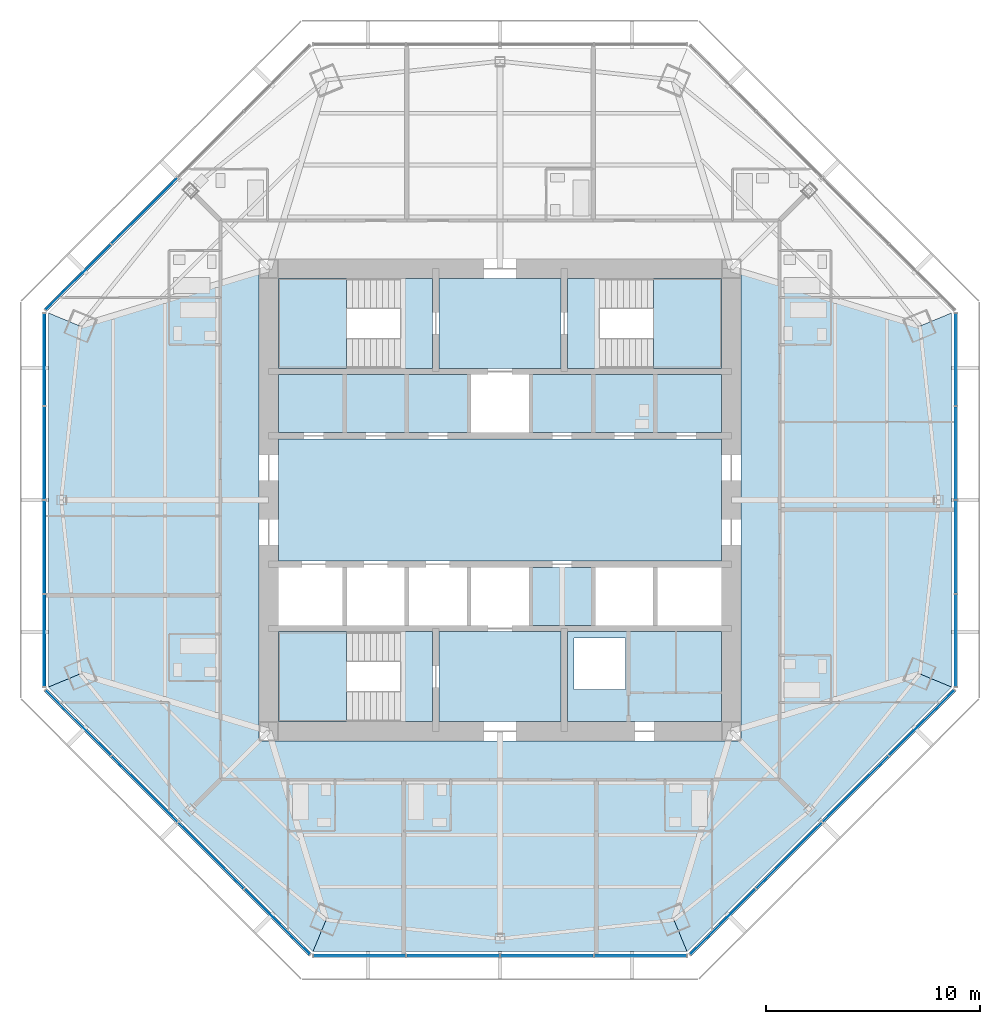
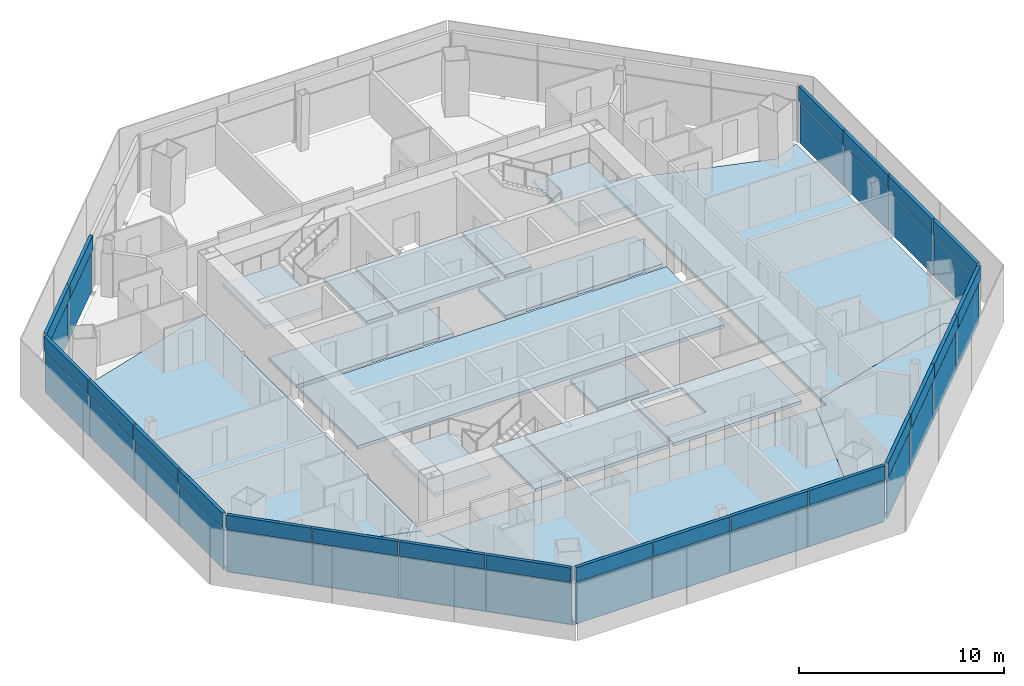
# One storey, part 7 of 14: 44 plates, 18 slabs, 9 elements without a shape of their own.
"""IFC4 building model written with IfcOpenShell, lengths in metres."""

from ifc_helpers import new_model, si_unit, direction, frame, origin, origin_2d, place, context, subcontext, project, spatial, polyline, rectangle, outline, extrude, source, transform, mapped, material, layer, layer_set, type_object, type_shapes, element, aggregate, save


model = new_model("IFC4")

# Units and contexts
model_context = context("Model", 3, precision=1e-05, world=origin(), true_north=direction((0.0, 1.0)))
body_context = subcontext(model_context, "Body", "Model", "MODEL_VIEW")
ifc_project = project(units=[si_unit("LENGTHUNIT", "METRE"), si_unit("AREAUNIT", "SQUARE_METRE"), si_unit("VOLUMEUNIT", "CUBIC_METRE"), si_unit("PLANEANGLEUNIT", "RADIAN"), si_unit("MASSUNIT", "GRAM", prefix="KILO")], contexts=[model_context])

# Site, building, storey
site_placement = place(None, origin())
site = spatial("IfcSite", under=ifc_project, at=site_placement, CompositionType="ELEMENT")
building_placement = place(site_placement, origin())
building = spatial("IfcBuilding", under=site, at=building_placement, Name="Mashrafa Tower", CompositionType="ELEMENT")
storey_placement = place(building_placement, frame((0.0, 0.0, 238.0)))
storey = spatial("IfcBuildingStorey", under=building, at=storey_placement, Name="L56", CompositionType="ELEMENT", Elevation=238.0)

# Slabs
ifc_material_1 = material(Name="Concrete C35/45", Category="concrete")
ifc_layer_1 = layer(ifc_material_1, 0.199951171875)
ifc_layer_set_1 = layer_set([ifc_layer_1], Name="Floor slab 200")
slab_type_1 = type_object("IfcSlabType", Name="Floor slab 200", PredefinedType="FLOOR", material=ifc_layer_set_1)
slab_1_placement = place(storey_placement, frame((0.0, 0.0, -0.199951171875)))
element("IfcSlab", 1, at=slab_1_placement, inside=storey, type_object=slab_type_1, Name="Floor slab L56 east bay", PredefinedType="FLOOR", context=body_context, shape_type="SweptSolid", body=[
    extrude(outline(polyline([(21.08203125, -8.732421875), (19.609619140625, -8.12255859375), (11.25, -10.663330078125), (11.25, 10.663330078125), (19.609619140625, 8.12255859375), (21.08203125, 8.732421875), (21.08203125, -8.732421875)])), origin(), (0.0, 0.0, 1.0), 0.199951171875),
])
slab_2_placement = place(storey_placement, frame((0.0, 0.0, -0.199951171875)))
element("IfcSlab", 2, at=slab_2_placement, inside=storey, type_object=slab_type_1, Name="Floor slab L56 west bay", PredefinedType="FLOOR", context=body_context, shape_type="SweptSolid", body=[
    extrude(outline(polyline([(-21.08203125, 8.732421875), (-19.609619140625, 8.12255859375), (-11.25, 10.663330078125), (-11.25, -10.663330078125), (-19.609619140625, -8.12255859375), (-21.08203125, -8.732421875), (-21.08203125, 8.732421875)])), origin(), (0.0, 0.0, 1.0), 0.199951171875),
])
slab_3_placement = place(storey_placement, frame((0.0, 0.0, -0.199951171875)))
element("IfcSlab", 3, at=slab_3_placement, inside=storey, type_object=slab_type_1, Name="Floor slab L56 south-west bay", PredefinedType="FLOOR", context=body_context, shape_type="SweptSolid", body=[
    extrude(outline(polyline([(-8.732421875, -21.08203125), (-21.08203125, -8.732421875), (-21.08203125, -8.732421875), (-19.609619140625, -8.12255859375), (-11.25, -10.663330078125), (-11.25, -11.25), (-10.663330078125, -11.25), (-8.12255859375, -19.609619140625), (-8.732421875, -21.08203125), (-8.732421875, -21.08203125)])), origin(), (0.0, 0.0, 1.0), 0.199951171875),
])
slab_4_placement = place(storey_placement, frame((0.0, 0.0, -0.199951171875)))
element("IfcSlab", 4, at=slab_4_placement, inside=storey, type_object=slab_type_1, Name="Floor slab L56 south bay", PredefinedType="FLOOR", context=body_context, shape_type="SweptSolid", body=[
    extrude(outline(polyline([(-8.732421875, -21.08203125), (-8.12255859375, -19.609619140625), (-10.663330078125, -11.25), (10.663330078125, -11.25), (8.12255859375, -19.609619140625), (8.732421875, -21.08203125), (-8.732421875, -21.08203125)])), origin(), (0.0, 0.0, 1.0), 0.199951171875),
])
slab_5_placement = place(storey_placement, frame((0.0, 0.0, -0.199951171875)))
element("IfcSlab", 5, at=slab_5_placement, inside=storey, type_object=slab_type_1, Name="Floor slab L56 south-east bay", PredefinedType="FLOOR", context=body_context, shape_type="SweptSolid", body=[
    extrude(outline(polyline([(8.732421875, -21.08203125), (8.12255859375, -19.609619140625), (10.663330078125, -11.25), (11.25, -11.25), (11.25, -10.663330078125), (19.609619140625, -8.12255859375), (21.08203125, -8.732421875), (21.08203125, -8.732421875), (8.732421875, -21.08203125), (8.732421875, -21.08203125)])), origin(), (0.0, 0.0, 1.0), 0.199951171875),
])
slab_6_placement = place(storey_placement, frame((0.0, 0.0, -0.199951171875)))
element("IfcSlab", 6, at=slab_6_placement, inside=storey, type_object=slab_type_1, Name="Core floor lift hall L56", PredefinedType="FLOOR", context=body_context, shape_type="SweptSolid", body=[
    extrude(outline(polyline([(-10.35009765625, 2.85009765625), (10.35009765625, 2.85009765625), (10.35009765625, -2.85009765625), (-10.35009765625, -2.85009765625), (-10.35009765625, 2.85009765625)])), origin(), (0.0, 0.0, 1.0), 0.199951171875),
])
slab_7_placement = place(storey_placement, frame((0.0, 0.0, -0.199951171875)))
element("IfcSlab", 7, at=slab_7_placement, inside=storey, type_object=slab_type_1, Name="Core floor riser and electrical band L56", PredefinedType="FLOOR", context=body_context, shape_type="SweptSolid", body=[
    extrude(outline(polyline([(10.35009765625, -6.14990234375), (10.35009765625, -10.35009765625), (3.14990234375, -10.35009765625), (3.14990234375, -6.14990234375), (10.35009765625, -6.14990234375)]), holes=[polyline([(3.449951171875, -8.85009765625), (5.85009765625, -8.85009765625), (5.85009765625, -6.449951171875), (3.449951171875, -6.449951171875), (3.449951171875, -8.85009765625)])]), origin(), (0.0, 0.0, 1.0), 0.199951171875),
])
slab_8_placement = place(storey_placement, frame((0.0, 0.0, -0.199951171875)))
element("IfcSlab", 8, at=slab_8_placement, inside=storey, type_object=slab_type_1, Name="Core floor lift cell L56", PredefinedType="FLOOR", context=body_context, shape_type="SweptSolid", body=[
    extrude(outline(polyline([(-10.35009765625, 5.85009765625), (-1.449951171875, 5.85009765625), (-1.449951171875, 3.14990234375), (-10.35009765625, 3.14990234375), (-10.35009765625, 5.85009765625)])), origin(), (0.0, 0.0, 1.0), 0.199951171875),
])
slab_9_placement = place(storey_placement, frame((0.0, 0.0, -0.199951171875)))
element("IfcSlab", 9, at=slab_9_placement, inside=storey, type_object=slab_type_1, Name="Core floor lift cell L56", PredefinedType="FLOOR", context=body_context, shape_type="SweptSolid", body=[
    extrude(outline(polyline([(1.449951171875, 5.85009765625), (10.35009765625, 5.85009765625), (10.35009765625, 3.14990234375), (1.449951171875, 3.14990234375), (1.449951171875, 5.85009765625)])), origin(), (0.0, 0.0, 1.0), 0.199951171875),
])
slab_10_placement = place(storey_placement, frame((0.0, 0.0, -0.199951171875)))
element("IfcSlab", 10, at=slab_10_placement, inside=storey, type_object=slab_type_1, Name="Core floor fire-fighting lobby south L56", PredefinedType="FLOOR", context=body_context, shape_type="SweptSolid", body=[
    extrude(outline(polyline([(2.85009765625, -6.14990234375), (2.85009765625, -10.35009765625), (-2.85009765625, -10.35009765625), (-2.85009765625, -6.14990234375), (2.85009765625, -6.14990234375)])), origin(), (0.0, 0.0, 1.0), 0.199951171875),
])
slab_11_placement = place(storey_placement, frame((0.0, 0.0, -0.199951171875)))
element("IfcSlab", 11, at=slab_11_placement, inside=storey, type_object=slab_type_1, Name="Core floor fire-fighting lobby north L56", PredefinedType="FLOOR", context=body_context, shape_type="SweptSolid", body=[
    extrude(outline(polyline([(-2.85009765625, 10.35009765625), (2.85009765625, 10.35009765625), (2.85009765625, 6.14990234375), (-2.85009765625, 6.14990234375), (-2.85009765625, 10.35009765625)])), origin(), (0.0, 0.0, 1.0), 0.199951171875),
])
slab_12_placement = place(storey_placement, frame((0.0, 0.0, -0.199951171875)))
element("IfcSlab", 12, at=slab_12_placement, inside=storey, type_object=slab_type_1, Name="Core floor lift cell L56", PredefinedType="FLOOR", context=body_context, shape_type="SweptSolid", body=[
    extrude(outline(polyline([(4.35009765625, -3.14990234375), (4.35009765625, -5.85009765625), (1.449951171875, -5.85009765625), (1.449951171875, -3.14990234375), (4.35009765625, -3.14990234375)])), origin(), (0.0, 0.0, 1.0), 0.199951171875),
])

# Stair, slabs
ifc_material_2 = material(Name="Exit stair 1400")
stair_type = type_object("IfcStairType", Name="Exit stair 1400", PredefinedType="HALF_TURN_STAIR", material=ifc_material_2)
stair_1_placement = place(storey_placement, origin())
stair_1 = element("IfcStair", 13, at=stair_1_placement, inside=storey, type_object=stair_type, Name="Stair S1 L56", PredefinedType="HALF_TURN_STAIR")
ifc_material_3 = material(Name="Concrete C32/40", Category="concrete")
ifc_layer_2 = layer(ifc_material_3, 0.199951171875)
ifc_layer_set_2 = layer_set([ifc_layer_2], Name="Stair landing 200")
slab_type_2 = type_object("IfcSlabType", Name="Stair landing 200", PredefinedType="LANDING", material=ifc_layer_set_2)
slab_13_placement = place(storey_placement, frame((0.0, 0.0, -0.199951171875)))
slab_13 = element("IfcSlab", 14, at=slab_13_placement, type_object=slab_type_2, Name="S1 landing 1", PredefinedType="LANDING", context=body_context, shape_type="SweptSolid", body=[
    extrude(outline(polyline([(-4.659912109375, 6.14990234375), (-3.14990234375, 6.14990234375), (-3.14990234375, 10.35009765625), (-4.659912109375, 10.35009765625), (-4.659912109375, 6.14990234375)])), origin(), (0.0, 0.0, 1.0), 0.199951171875),
])
slab_14_placement = place(storey_placement, frame((0.0, 0.0, 1.5)))
slab_14 = element("IfcSlab", 15, at=slab_14_placement, type_object=slab_type_2, Name="S1 landing 2", PredefinedType="LANDING", context=body_context, shape_type="SweptSolid", body=[
    extrude(outline(polyline([(-10.35009765625, 6.14990234375), (-7.159912109375, 6.14990234375), (-7.159912109375, 10.35009765625), (-10.35009765625, 10.35009765625), (-10.35009765625, 6.14990234375)])), origin(), (0.0, 0.0, 1.0), 0.199951171875),
])
aggregate(stair_1, [slab_13, slab_14])

stair_2_placement = place(storey_placement, origin())
stair_2 = element("IfcStair", 16, at=stair_2_placement, inside=storey, type_object=stair_type, Name="Stair S2 L56", PredefinedType="HALF_TURN_STAIR")
slab_15_placement = place(storey_placement, frame((0.0, 0.0, -0.199951171875)))
slab_15 = element("IfcSlab", 17, at=slab_15_placement, type_object=slab_type_2, Name="S2 landing 1", PredefinedType="LANDING", context=body_context, shape_type="SweptSolid", body=[
    extrude(outline(polyline([(3.14990234375, 6.14990234375), (4.659912109375, 6.14990234375), (4.659912109375, 10.35009765625), (3.14990234375, 10.35009765625), (3.14990234375, 6.14990234375)])), origin(), (0.0, 0.0, 1.0), 0.199951171875),
])
slab_16_placement = place(storey_placement, frame((0.0, 0.0, 1.5)))
slab_16 = element("IfcSlab", 18, at=slab_16_placement, type_object=slab_type_2, Name="S2 landing 2", PredefinedType="LANDING", context=body_context, shape_type="SweptSolid", body=[
    extrude(outline(polyline([(7.159912109375, 6.14990234375), (10.35009765625, 6.14990234375), (10.35009765625, 10.35009765625), (7.159912109375, 10.35009765625), (7.159912109375, 6.14990234375)])), origin(), (0.0, 0.0, 1.0), 0.199951171875),
])
aggregate(stair_2, [slab_15, slab_16])

stair_3_placement = place(storey_placement, origin())
stair_3 = element("IfcStair", 19, at=stair_3_placement, inside=storey, type_object=stair_type, Name="Stair S3 L56", PredefinedType="HALF_TURN_STAIR")
slab_17_placement = place(storey_placement, frame((0.0, 0.0, -0.199951171875)))
slab_17 = element("IfcSlab", 20, at=slab_17_placement, type_object=slab_type_2, Name="S3 landing 1", PredefinedType="LANDING", context=body_context, shape_type="SweptSolid", body=[
    extrude(outline(polyline([(-4.659912109375, -10.35009765625), (-3.14990234375, -10.35009765625), (-3.14990234375, -6.14990234375), (-4.659912109375, -6.14990234375), (-4.659912109375, -10.35009765625)])), origin(), (0.0, 0.0, 1.0), 0.199951171875),
])
slab_18_placement = place(storey_placement, frame((0.0, 0.0, 1.5)))
slab_18 = element("IfcSlab", 21, at=slab_18_placement, type_object=slab_type_2, Name="S3 landing 2", PredefinedType="LANDING", context=body_context, shape_type="SweptSolid", body=[
    extrude(outline(polyline([(-10.35009765625, -10.35009765625), (-7.159912109375, -10.35009765625), (-7.159912109375, -6.14990234375), (-10.35009765625, -6.14990234375), (-10.35009765625, -10.35009765625)])), origin(), (0.0, 0.0, 1.0), 0.199951171875),
])
aggregate(stair_3, [slab_17, slab_18])

# Curtain wall, plates
ifc_material_4 = material(Name="Unitised aluminium curtain wall", Category="aluminium")
curtain_wall_type = type_object("IfcCurtainWallType", Name="Apartment curtain wall, zone 3 CW-C 180 deep", PredefinedType="NOTDEFINED", material=ifc_material_4)
curtain_wall_1_placement = place(storey_placement, origin())
curtain_wall_1 = element("IfcCurtainWall", 22, at=curtain_wall_1_placement, inside=storey, type_object=curtain_wall_type, Name="Apartment curtain wall, zone 3 L56 east", PredefinedType="NOTDEFINED")
ifc_material_5 = material(Name="Insulated double glazing, acoustic", Category="glass")
ifc_layer_3 = layer(ifc_material_5, 0.028076171875)
ifc_layer_set_3 = layer_set([ifc_layer_3], Name="Vision panel CW-C 28")
plate_type_1 = type_object("IfcPlateType", Name="Vision panel CW-C 28", PredefinedType="CURTAIN_PANEL", material=ifc_layer_set_3)
shared_shape_1 = source(origin(), body_context, "Body", "SweptSolid", [
    extrude(rectangle(XDim=4.2939453125, YDim=0.028076171875, at=origin_2d()), origin(), (0.0, 0.0, 1.0), 2.46240234375),
])
plate_1_placement = place(storey_placement, frame((21.281982421875, -6.56103515625, 0.0), z_axis=(0.0, 0.0, 1.0), x_axis=(0.0, 1.0, 0.0)))
plate_1 = element("IfcPlate", 23, at=plate_1_placement, type_object=plate_type_1, Name="CW-C vision panel 1", PredefinedType="CURTAIN_PANEL", context=body_context, shape_type="MappedRepresentation", body=[
    mapped(shared_shape_1, transform((0.0, 0.0, 0.0))),
])
plate_2_placement = place(storey_placement, frame((21.281982421875, 6.56103515625, 0.0), z_axis=(0.0, 0.0, 1.0), x_axis=(0.0, 1.0, 0.0)))
plate_2 = element("IfcPlate", 24, at=plate_2_placement, type_object=plate_type_1, Name="CW-C vision panel 4", PredefinedType="CURTAIN_PANEL", context=body_context, shape_type="MappedRepresentation", body=[
    mapped(shared_shape_1, transform((0.0, 0.0, 0.0))),
])

# Curtain wall, plate
curtain_wall_2_placement = place(storey_placement, origin())
curtain_wall_2 = element("IfcCurtainWall", 25, at=curtain_wall_2_placement, inside=storey, type_object=curtain_wall_type, Name="Apartment curtain wall, zone 3 L56 north-west", PredefinedType="NOTDEFINED")
plate_3_placement = place(storey_placement, frame((-19.68798828125, 10.409423828125, 0.0), z_axis=(0.0, 0.0, 1.0), x_axis=(-0.707106781187, -0.707106781187, 0.0)))
plate_3 = element("IfcPlate", 26, at=plate_3_placement, type_object=plate_type_1, Name="CW-C vision panel 4", PredefinedType="CURTAIN_PANEL", context=body_context, shape_type="MappedRepresentation", body=[
    mapped(shared_shape_1, transform((0.0, 0.0, 0.0))),
])

# Curtain wall, plates
curtain_wall_3_placement = place(storey_placement, origin())
curtain_wall_3 = element("IfcCurtainWall", 27, at=curtain_wall_3_placement, inside=storey, type_object=curtain_wall_type, Name="Apartment curtain wall, zone 3 L56 west", PredefinedType="NOTDEFINED")
plate_4_placement = place(storey_placement, frame((-21.281982421875, 6.56103515625, 0.0), z_axis=(0.0, 0.0, 1.0), x_axis=(0.0, -1.0, 0.0)))
plate_4 = element("IfcPlate", 28, at=plate_4_placement, type_object=plate_type_1, Name="CW-C vision panel 1", PredefinedType="CURTAIN_PANEL", context=body_context, shape_type="MappedRepresentation", body=[
    mapped(shared_shape_1, transform((0.0, 0.0, 0.0))),
])
plate_5_placement = place(storey_placement, frame((-21.281982421875, -6.56103515625, 0.0), z_axis=(0.0, 0.0, 1.0), x_axis=(0.0, -1.0, 0.0)))
plate_5 = element("IfcPlate", 29, at=plate_5_placement, type_object=plate_type_1, Name="CW-C vision panel 4", PredefinedType="CURTAIN_PANEL", context=body_context, shape_type="MappedRepresentation", body=[
    mapped(shared_shape_1, transform((0.0, 0.0, 0.0))),
])

curtain_wall_4_placement = place(storey_placement, origin())
curtain_wall_4 = element("IfcCurtainWall", 30, at=curtain_wall_4_placement, inside=storey, type_object=curtain_wall_type, Name="Apartment curtain wall, zone 3 L56 south-west", PredefinedType="NOTDEFINED")
plate_6_placement = place(storey_placement, frame((-19.68798828125, -10.409423828125, 0.0), z_axis=(0.0, 0.0, 1.0), x_axis=(0.707106781187, -0.707106781187, 0.0)))
plate_6 = element("IfcPlate", 31, at=plate_6_placement, type_object=plate_type_1, Name="CW-C vision panel 1", PredefinedType="CURTAIN_PANEL", context=body_context, shape_type="MappedRepresentation", body=[
    mapped(shared_shape_1, transform((0.0, 0.0, 0.0))),
])
plate_7_placement = place(storey_placement, frame((-10.409423828125, -19.68798828125, 0.0), z_axis=(0.0, 0.0, 1.0), x_axis=(0.707106781187, -0.707106781187, 0.0)))
plate_7 = element("IfcPlate", 32, at=plate_7_placement, type_object=plate_type_1, Name="CW-C vision panel 4", PredefinedType="CURTAIN_PANEL", context=body_context, shape_type="MappedRepresentation", body=[
    mapped(shared_shape_1, transform((0.0, 0.0, 0.0))),
])

curtain_wall_5_placement = place(storey_placement, origin())
curtain_wall_5 = element("IfcCurtainWall", 33, at=curtain_wall_5_placement, inside=storey, type_object=curtain_wall_type, Name="Apartment curtain wall, zone 3 L56 south", PredefinedType="NOTDEFINED")
plate_8_placement = place(storey_placement, frame((-6.56103515625, -21.281982421875, 0.0), z_axis=(0.0, 0.0, 1.0), x_axis=(1.0, 0.0, 0.0)))
plate_8 = element("IfcPlate", 34, at=plate_8_placement, type_object=plate_type_1, Name="CW-C vision panel 1", PredefinedType="CURTAIN_PANEL", context=body_context, shape_type="MappedRepresentation", body=[
    mapped(shared_shape_1, transform((0.0, 0.0, 0.0))),
])
plate_9_placement = place(storey_placement, frame((6.56103515625, -21.281982421875, 0.0), z_axis=(0.0, 0.0, 1.0), x_axis=(1.0, 0.0, 0.0)))
plate_9 = element("IfcPlate", 35, at=plate_9_placement, type_object=plate_type_1, Name="CW-C vision panel 4", PredefinedType="CURTAIN_PANEL", context=body_context, shape_type="MappedRepresentation", body=[
    mapped(shared_shape_1, transform((0.0, 0.0, 0.0))),
])

curtain_wall_6_placement = place(storey_placement, origin())
curtain_wall_6 = element("IfcCurtainWall", 36, at=curtain_wall_6_placement, inside=storey, type_object=curtain_wall_type, Name="Apartment curtain wall, zone 3 L56 south-east", PredefinedType="NOTDEFINED")
plate_10_placement = place(storey_placement, frame((10.409423828125, -19.68798828125, 0.0), z_axis=(0.0, 0.0, 1.0), x_axis=(0.707106781187, 0.707106781187, 0.0)))
plate_10 = element("IfcPlate", 37, at=plate_10_placement, type_object=plate_type_1, Name="CW-C vision panel 1", PredefinedType="CURTAIN_PANEL", context=body_context, shape_type="MappedRepresentation", body=[
    mapped(shared_shape_1, transform((0.0, 0.0, 0.0))),
])
plate_11_placement = place(storey_placement, frame((19.68798828125, -10.409423828125, 0.0), z_axis=(0.0, 0.0, 1.0), x_axis=(0.707106781187, 0.707106781187, 0.0)))
plate_11 = element("IfcPlate", 38, at=plate_11_placement, type_object=plate_type_1, Name="CW-C vision panel 4", PredefinedType="CURTAIN_PANEL", context=body_context, shape_type="MappedRepresentation", body=[
    mapped(shared_shape_1, transform((0.0, 0.0, 0.0))),
])

# Plate
ifc_material_6 = material(Name="Insulated bronze aluminium spandrel panel", Category="aluminium")
ifc_layer_4 = layer(ifc_material_6, 0.179931640625)
ifc_layer_set_4 = layer_set([ifc_layer_4], Name="Spandrel panel CW-C 180")
plate_type_2 = type_object("IfcPlateType", Name="Spandrel panel CW-C 180", PredefinedType="CURTAIN_PANEL", material=ifc_layer_set_4)
shared_shape_2 = source(origin(), body_context, "Body", "SweptSolid", [
    extrude(rectangle(XDim=4.2939453125, YDim=0.179931640625, at=origin_2d()), origin(), (0.0, 0.0, 1.0), 0.862548828125),
])
plate_12_placement = place(storey_placement, frame((21.281982421875, -6.56103515625, 2.53759765625), z_axis=(0.0, 0.0, 1.0), x_axis=(0.0, 1.0, 0.0)))
plate_12 = element("IfcPlate", 39, at=plate_12_placement, type_object=plate_type_2, Name="CW-C spandrel panel 1", PredefinedType="CURTAIN_PANEL", context=body_context, shape_type="MappedRepresentation", body=[
    mapped(shared_shape_2, transform((0.0, 0.0, 0.0))),
])

plate_13_placement = place(storey_placement, frame((21.281982421875, 6.56103515625, 2.53759765625), z_axis=(0.0, 0.0, 1.0), x_axis=(0.0, 1.0, 0.0)))
plate_13 = element("IfcPlate", 40, at=plate_13_placement, type_object=plate_type_2, Name="CW-C spandrel panel 4", PredefinedType="CURTAIN_PANEL", context=body_context, shape_type="MappedRepresentation", body=[
    mapped(shared_shape_2, transform((0.0, 0.0, 0.0))),
])

plate_14_placement = place(storey_placement, frame((-19.68798828125, 10.409423828125, 2.53759765625), z_axis=(0.0, 0.0, 1.0), x_axis=(-0.707106781187, -0.707106781187, 0.0)))
plate_14 = element("IfcPlate", 41, at=plate_14_placement, type_object=plate_type_2, Name="CW-C spandrel panel 4", PredefinedType="CURTAIN_PANEL", context=body_context, shape_type="MappedRepresentation", body=[
    mapped(shared_shape_2, transform((0.0, 0.0, 0.0))),
])

plate_15_placement = place(storey_placement, frame((-21.281982421875, 6.56103515625, 2.53759765625), z_axis=(0.0, 0.0, 1.0), x_axis=(0.0, -1.0, 0.0)))
plate_15 = element("IfcPlate", 42, at=plate_15_placement, type_object=plate_type_2, Name="CW-C spandrel panel 1", PredefinedType="CURTAIN_PANEL", context=body_context, shape_type="MappedRepresentation", body=[
    mapped(shared_shape_2, transform((0.0, 0.0, 0.0))),
])

plate_16_placement = place(storey_placement, frame((-21.281982421875, -6.56103515625, 2.53759765625), z_axis=(0.0, 0.0, 1.0), x_axis=(0.0, -1.0, 0.0)))
plate_16 = element("IfcPlate", 43, at=plate_16_placement, type_object=plate_type_2, Name="CW-C spandrel panel 4", PredefinedType="CURTAIN_PANEL", context=body_context, shape_type="MappedRepresentation", body=[
    mapped(shared_shape_2, transform((0.0, 0.0, 0.0))),
])

plate_17_placement = place(storey_placement, frame((-19.68798828125, -10.409423828125, 2.53759765625), z_axis=(0.0, 0.0, 1.0), x_axis=(0.707106781187, -0.707106781187, 0.0)))
plate_17 = element("IfcPlate", 44, at=plate_17_placement, type_object=plate_type_2, Name="CW-C spandrel panel 1", PredefinedType="CURTAIN_PANEL", context=body_context, shape_type="MappedRepresentation", body=[
    mapped(shared_shape_2, transform((0.0, 0.0, 0.0))),
])

plate_18_placement = place(storey_placement, frame((-10.409423828125, -19.68798828125, 2.53759765625), z_axis=(0.0, 0.0, 1.0), x_axis=(0.707106781187, -0.707106781187, 0.0)))
plate_18 = element("IfcPlate", 45, at=plate_18_placement, type_object=plate_type_2, Name="CW-C spandrel panel 4", PredefinedType="CURTAIN_PANEL", context=body_context, shape_type="MappedRepresentation", body=[
    mapped(shared_shape_2, transform((0.0, 0.0, 0.0))),
])

plate_19_placement = place(storey_placement, frame((-6.56103515625, -21.281982421875, 2.53759765625), z_axis=(0.0, 0.0, 1.0), x_axis=(1.0, 0.0, 0.0)))
plate_19 = element("IfcPlate", 46, at=plate_19_placement, type_object=plate_type_2, Name="CW-C spandrel panel 1", PredefinedType="CURTAIN_PANEL", context=body_context, shape_type="MappedRepresentation", body=[
    mapped(shared_shape_2, transform((0.0, 0.0, 0.0))),
])

plate_20_placement = place(storey_placement, frame((6.56103515625, -21.281982421875, 2.53759765625), z_axis=(0.0, 0.0, 1.0), x_axis=(1.0, 0.0, 0.0)))
plate_20 = element("IfcPlate", 47, at=plate_20_placement, type_object=plate_type_2, Name="CW-C spandrel panel 4", PredefinedType="CURTAIN_PANEL", context=body_context, shape_type="MappedRepresentation", body=[
    mapped(shared_shape_2, transform((0.0, 0.0, 0.0))),
])

plate_21_placement = place(storey_placement, frame((10.409423828125, -19.68798828125, 2.53759765625), z_axis=(0.0, 0.0, 1.0), x_axis=(0.707106781187, 0.707106781187, 0.0)))
plate_21 = element("IfcPlate", 48, at=plate_21_placement, type_object=plate_type_2, Name="CW-C spandrel panel 1", PredefinedType="CURTAIN_PANEL", context=body_context, shape_type="MappedRepresentation", body=[
    mapped(shared_shape_2, transform((0.0, 0.0, 0.0))),
])

plate_22_placement = place(storey_placement, frame((19.68798828125, -10.409423828125, 2.53759765625), z_axis=(0.0, 0.0, 1.0), x_axis=(0.707106781187, 0.707106781187, 0.0)))
plate_22 = element("IfcPlate", 49, at=plate_22_placement, type_object=plate_type_2, Name="CW-C spandrel panel 4", PredefinedType="CURTAIN_PANEL", context=body_context, shape_type="MappedRepresentation", body=[
    mapped(shared_shape_2, transform((0.0, 0.0, 0.0))),
])

shared_shape_3 = source(origin(), body_context, "Body", "SweptSolid", [
    extrude(rectangle(XDim=4.323974609375, YDim=0.028076171875, at=origin_2d()), origin(), (0.0, 0.0, 1.0), 2.46240234375),
])
type_shapes(plate_type_1, [shared_shape_1, shared_shape_3])
plate_23_placement = place(storey_placement, frame((21.281982421875, -2.19189453125, 0.0), z_axis=(0.0, 0.0, 1.0), x_axis=(0.0, 1.0, 0.0)))
plate_23 = element("IfcPlate", 50, at=plate_23_placement, type_object=plate_type_1, Name="CW-C vision panel 2", PredefinedType="CURTAIN_PANEL", context=body_context, shape_type="MappedRepresentation", body=[
    mapped(shared_shape_3, transform((0.0, 0.0, 0.0))),
])

plate_24_placement = place(storey_placement, frame((21.281982421875, 2.19189453125, 0.0), z_axis=(0.0, 0.0, 1.0), x_axis=(0.0, 1.0, 0.0)))
plate_24 = element("IfcPlate", 51, at=plate_24_placement, type_object=plate_type_1, Name="CW-C vision panel 3", PredefinedType="CURTAIN_PANEL", context=body_context, shape_type="MappedRepresentation", body=[
    mapped(shared_shape_3, transform((0.0, 0.0, 0.0))),
])

plate_25_placement = place(storey_placement, frame((-16.5986328125, 13.498779296875, 0.0), z_axis=(0.0, 0.0, 1.0), x_axis=(-0.707106781187, -0.707106781187, 0.0)))
plate_25 = element("IfcPlate", 52, at=plate_25_placement, type_object=plate_type_1, Name="CW-C vision panel 3", PredefinedType="CURTAIN_PANEL", context=body_context, shape_type="MappedRepresentation", body=[
    mapped(shared_shape_3, transform((0.0, 0.0, 0.0))),
])

plate_26_placement = place(storey_placement, frame((-21.281982421875, 2.19189453125, 0.0), z_axis=(0.0, 0.0, 1.0), x_axis=(0.0, -1.0, 0.0)))
plate_26 = element("IfcPlate", 53, at=plate_26_placement, type_object=plate_type_1, Name="CW-C vision panel 2", PredefinedType="CURTAIN_PANEL", context=body_context, shape_type="MappedRepresentation", body=[
    mapped(shared_shape_3, transform((0.0, 0.0, 0.0))),
])

plate_27_placement = place(storey_placement, frame((-21.281982421875, -2.19189453125, 0.0), z_axis=(0.0, 0.0, 1.0), x_axis=(0.0, -1.0, 0.0)))
plate_27 = element("IfcPlate", 54, at=plate_27_placement, type_object=plate_type_1, Name="CW-C vision panel 3", PredefinedType="CURTAIN_PANEL", context=body_context, shape_type="MappedRepresentation", body=[
    mapped(shared_shape_3, transform((0.0, 0.0, 0.0))),
])

plate_28_placement = place(storey_placement, frame((-16.5986328125, -13.498779296875, 0.0), z_axis=(0.0, 0.0, 1.0), x_axis=(0.707106781187, -0.707106781187, 0.0)))
plate_28 = element("IfcPlate", 55, at=plate_28_placement, type_object=plate_type_1, Name="CW-C vision panel 2", PredefinedType="CURTAIN_PANEL", context=body_context, shape_type="MappedRepresentation", body=[
    mapped(shared_shape_3, transform((0.0, 0.0, 0.0))),
])

plate_29_placement = place(storey_placement, frame((-13.498779296875, -16.5986328125, 0.0), z_axis=(0.0, 0.0, 1.0), x_axis=(0.707106781187, -0.707106781187, 0.0)))
plate_29 = element("IfcPlate", 56, at=plate_29_placement, type_object=plate_type_1, Name="CW-C vision panel 3", PredefinedType="CURTAIN_PANEL", context=body_context, shape_type="MappedRepresentation", body=[
    mapped(shared_shape_3, transform((0.0, 0.0, 0.0))),
])

plate_30_placement = place(storey_placement, frame((-2.19189453125, -21.281982421875, 0.0), z_axis=(0.0, 0.0, 1.0), x_axis=(1.0, 0.0, 0.0)))
plate_30 = element("IfcPlate", 57, at=plate_30_placement, type_object=plate_type_1, Name="CW-C vision panel 2", PredefinedType="CURTAIN_PANEL", context=body_context, shape_type="MappedRepresentation", body=[
    mapped(shared_shape_3, transform((0.0, 0.0, 0.0))),
])

plate_31_placement = place(storey_placement, frame((2.19189453125, -21.281982421875, 0.0), z_axis=(0.0, 0.0, 1.0), x_axis=(1.0, 0.0, 0.0)))
plate_31 = element("IfcPlate", 58, at=plate_31_placement, type_object=plate_type_1, Name="CW-C vision panel 3", PredefinedType="CURTAIN_PANEL", context=body_context, shape_type="MappedRepresentation", body=[
    mapped(shared_shape_3, transform((0.0, 0.0, 0.0))),
])

plate_32_placement = place(storey_placement, frame((13.498779296875, -16.5986328125, 0.0), z_axis=(0.0, 0.0, 1.0), x_axis=(0.707106781187, 0.707106781187, 0.0)))
plate_32 = element("IfcPlate", 59, at=plate_32_placement, type_object=plate_type_1, Name="CW-C vision panel 2", PredefinedType="CURTAIN_PANEL", context=body_context, shape_type="MappedRepresentation", body=[
    mapped(shared_shape_3, transform((0.0, 0.0, 0.0))),
])

plate_33_placement = place(storey_placement, frame((16.5986328125, -13.498779296875, 0.0), z_axis=(0.0, 0.0, 1.0), x_axis=(0.707106781187, 0.707106781187, 0.0)))
plate_33 = element("IfcPlate", 60, at=plate_33_placement, type_object=plate_type_1, Name="CW-C vision panel 3", PredefinedType="CURTAIN_PANEL", context=body_context, shape_type="MappedRepresentation", body=[
    mapped(shared_shape_3, transform((0.0, 0.0, 0.0))),
])

shared_shape_4 = source(origin(), body_context, "Body", "SweptSolid", [
    extrude(rectangle(XDim=4.323974609375, YDim=0.179931640625, at=origin_2d()), origin(), (0.0, 0.0, 1.0), 0.862548828125),
])
type_shapes(plate_type_2, [shared_shape_2, shared_shape_4])
plate_34_placement = place(storey_placement, frame((21.281982421875, -2.19189453125, 2.53759765625), z_axis=(0.0, 0.0, 1.0), x_axis=(0.0, 1.0, 0.0)))
plate_34 = element("IfcPlate", 61, at=plate_34_placement, type_object=plate_type_2, Name="CW-C spandrel panel 2", PredefinedType="CURTAIN_PANEL", context=body_context, shape_type="MappedRepresentation", body=[
    mapped(shared_shape_4, transform((0.0, 0.0, 0.0))),
])

plate_35_placement = place(storey_placement, frame((21.281982421875, 2.19189453125, 2.53759765625), z_axis=(0.0, 0.0, 1.0), x_axis=(0.0, 1.0, 0.0)))
plate_35 = element("IfcPlate", 62, at=plate_35_placement, type_object=plate_type_2, Name="CW-C spandrel panel 3", PredefinedType="CURTAIN_PANEL", context=body_context, shape_type="MappedRepresentation", body=[
    mapped(shared_shape_4, transform((0.0, 0.0, 0.0))),
])

aggregate(curtain_wall_1, [plate_1, plate_12, plate_23, plate_34, plate_24, plate_35, plate_2, plate_13])

plate_36_placement = place(storey_placement, frame((-16.5986328125, 13.498779296875, 2.53759765625), z_axis=(0.0, 0.0, 1.0), x_axis=(-0.707106781187, -0.707106781187, 0.0)))
plate_36 = element("IfcPlate", 63, at=plate_36_placement, type_object=plate_type_2, Name="CW-C spandrel panel 3", PredefinedType="CURTAIN_PANEL", context=body_context, shape_type="MappedRepresentation", body=[
    mapped(shared_shape_4, transform((0.0, 0.0, 0.0))),
])

aggregate(curtain_wall_2, [plate_25, plate_36, plate_3, plate_14])

plate_37_placement = place(storey_placement, frame((-21.281982421875, 2.19189453125, 2.53759765625), z_axis=(0.0, 0.0, 1.0), x_axis=(0.0, -1.0, 0.0)))
plate_37 = element("IfcPlate", 64, at=plate_37_placement, type_object=plate_type_2, Name="CW-C spandrel panel 2", PredefinedType="CURTAIN_PANEL", context=body_context, shape_type="MappedRepresentation", body=[
    mapped(shared_shape_4, transform((0.0, 0.0, 0.0))),
])

plate_38_placement = place(storey_placement, frame((-21.281982421875, -2.19189453125, 2.53759765625), z_axis=(0.0, 0.0, 1.0), x_axis=(0.0, -1.0, 0.0)))
plate_38 = element("IfcPlate", 65, at=plate_38_placement, type_object=plate_type_2, Name="CW-C spandrel panel 3", PredefinedType="CURTAIN_PANEL", context=body_context, shape_type="MappedRepresentation", body=[
    mapped(shared_shape_4, transform((0.0, 0.0, 0.0))),
])

aggregate(curtain_wall_3, [plate_4, plate_15, plate_26, plate_37, plate_27, plate_38, plate_5, plate_16])

plate_39_placement = place(storey_placement, frame((-16.5986328125, -13.498779296875, 2.53759765625), z_axis=(0.0, 0.0, 1.0), x_axis=(0.707106781187, -0.707106781187, 0.0)))
plate_39 = element("IfcPlate", 66, at=plate_39_placement, type_object=plate_type_2, Name="CW-C spandrel panel 2", PredefinedType="CURTAIN_PANEL", context=body_context, shape_type="MappedRepresentation", body=[
    mapped(shared_shape_4, transform((0.0, 0.0, 0.0))),
])

plate_40_placement = place(storey_placement, frame((-13.498779296875, -16.5986328125, 2.53759765625), z_axis=(0.0, 0.0, 1.0), x_axis=(0.707106781187, -0.707106781187, 0.0)))
plate_40 = element("IfcPlate", 67, at=plate_40_placement, type_object=plate_type_2, Name="CW-C spandrel panel 3", PredefinedType="CURTAIN_PANEL", context=body_context, shape_type="MappedRepresentation", body=[
    mapped(shared_shape_4, transform((0.0, 0.0, 0.0))),
])

aggregate(curtain_wall_4, [plate_6, plate_17, plate_28, plate_39, plate_29, plate_40, plate_7, plate_18])

plate_41_placement = place(storey_placement, frame((-2.19189453125, -21.281982421875, 2.53759765625), z_axis=(0.0, 0.0, 1.0), x_axis=(1.0, 0.0, 0.0)))
plate_41 = element("IfcPlate", 68, at=plate_41_placement, type_object=plate_type_2, Name="CW-C spandrel panel 2", PredefinedType="CURTAIN_PANEL", context=body_context, shape_type="MappedRepresentation", body=[
    mapped(shared_shape_4, transform((0.0, 0.0, 0.0))),
])

plate_42_placement = place(storey_placement, frame((2.19189453125, -21.281982421875, 2.53759765625), z_axis=(0.0, 0.0, 1.0), x_axis=(1.0, 0.0, 0.0)))
plate_42 = element("IfcPlate", 69, at=plate_42_placement, type_object=plate_type_2, Name="CW-C spandrel panel 3", PredefinedType="CURTAIN_PANEL", context=body_context, shape_type="MappedRepresentation", body=[
    mapped(shared_shape_4, transform((0.0, 0.0, 0.0))),
])

aggregate(curtain_wall_5, [plate_8, plate_19, plate_30, plate_41, plate_31, plate_42, plate_9, plate_20])

plate_43_placement = place(storey_placement, frame((13.498779296875, -16.5986328125, 2.53759765625), z_axis=(0.0, 0.0, 1.0), x_axis=(0.707106781187, 0.707106781187, 0.0)))
plate_43 = element("IfcPlate", 70, at=plate_43_placement, type_object=plate_type_2, Name="CW-C spandrel panel 2", PredefinedType="CURTAIN_PANEL", context=body_context, shape_type="MappedRepresentation", body=[
    mapped(shared_shape_4, transform((0.0, 0.0, 0.0))),
])

plate_44_placement = place(storey_placement, frame((16.5986328125, -13.498779296875, 2.53759765625), z_axis=(0.0, 0.0, 1.0), x_axis=(0.707106781187, 0.707106781187, 0.0)))
plate_44 = element("IfcPlate", 71, at=plate_44_placement, type_object=plate_type_2, Name="CW-C spandrel panel 3", PredefinedType="CURTAIN_PANEL", context=body_context, shape_type="MappedRepresentation", body=[
    mapped(shared_shape_4, transform((0.0, 0.0, 0.0))),
])

aggregate(curtain_wall_6, [plate_10, plate_21, plate_32, plate_43, plate_33, plate_44, plate_11, plate_22])

save(model, "model.ifc")
